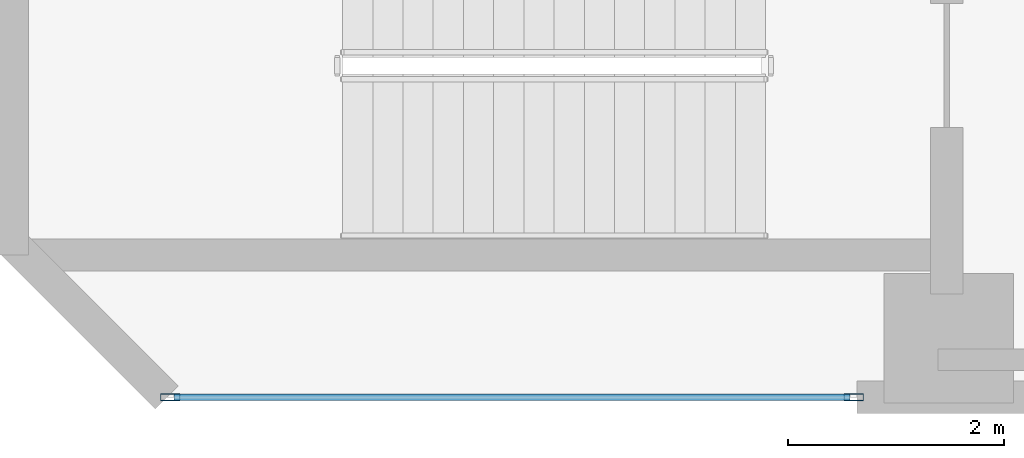
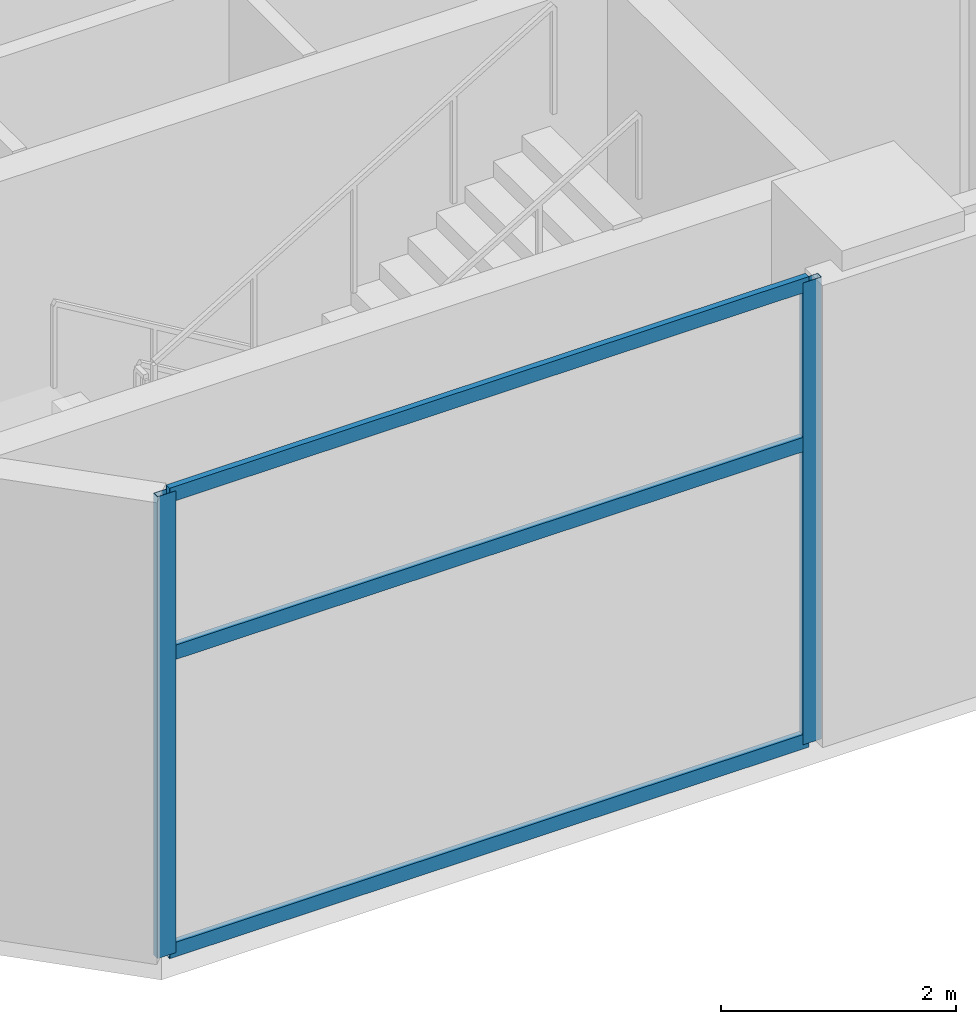
# One storey, part 2 of 23: 5 members, 1 element without a shape of its own.
"""IFC4 building model written with IfcOpenShell, lengths in metres."""

import ifcopenshell
import ifcopenshell.guid

model = None  # the IFC model being written
_history = None  # IfcOwnerHistory: only IFC2X3 demands one
_inside = {}  # id of a spatial element -> (the spatial element, [elements in it])
_under = {}  # id of a project, library or spatial element -> (it, [spatial elements below it])
_declared = {}  # id of a project -> (the project, [libraries it declares])
_typed = {}  # id of a type object -> (the type object, [elements of that type])
_made_of = {}  # id of a material, layer set ... -> (it, [elements and type objects made of it])


def new_model(schema):
    """Start an empty IFC model of exactly this schema.

    Asked for "IFC4X3", IfcOpenShell would pick the latest addendum, in which some entities
    have other attributes; the version numbers below select the first issue.
    IFC2X3 requires an IfcOwnerHistory on every rooted entity: one is made here for all.
    """
    global model, _history
    if schema == "IFC4X3":
        model = ifcopenshell.file(schema_version=(4, 3, 0, 0))
    else:
        model = ifcopenshell.file(schema=schema)
    _inside.clear()
    _under.clear()
    _declared.clear()
    _typed.clear()
    _made_of.clear()
    _history = None
    if model.schema == "IFC2X3":
        org = make("IfcOrganization", Name="unknown")
        user = make(
            "IfcPersonAndOrganization",
            ThePerson=make("IfcPerson", FamilyName="unknown"),
            TheOrganization=org,
        )
        app = make(
            "IfcApplication",
            ApplicationDeveloper=org,
            Version="unknown",
            ApplicationFullName="unknown",
            ApplicationIdentifier="unknown",
        )
        _history = make(
            "IfcOwnerHistory",
            OwningUser=user,
            OwningApplication=app,
            ChangeAction="ADDED",
            CreationDate=0,
        )
    return model


def make(cls, **values):
    """One entity of the class cls with the attributes given. An attribute that is None is left unset."""
    return model.create_entity(
        cls, **{name: value for name, value in values.items() if value is not None}
    )


def rooted(cls, **values):
    """An entity with a GlobalId (a new one), such as an element, a storey or a relation."""
    return make(cls, GlobalId=ifcopenshell.guid.new(), OwnerHistory=_history, **values)


def si_unit(unit_type, name, prefix=None):
    """IfcSIUnit, for example si_unit("LENGTHUNIT", "METRE", prefix="MILLI")."""
    return make("IfcSIUnit", UnitType=unit_type, Prefix=prefix, Name=name)


def assignment(units):
    """IfcUnitAssignment: the units of a project."""
    return None if units is None else make("IfcUnitAssignment", Units=units)


def point(xyz):
    """IfcCartesianPoint."""
    return None if xyz is None else make("IfcCartesianPoint", Coordinates=xyz)


def direction(xyz):
    """IfcDirection."""
    return None if xyz is None else make("IfcDirection", DirectionRatios=xyz)


def frame(location, z_axis=None, x_axis=None):
    """IfcAxis2Placement3D, a coordinate frame: its origin and axes. An axis left out is left unset."""
    return make(
        "IfcAxis2Placement3D",
        Location=point(location),
        Axis=direction(z_axis),
        RefDirection=direction(x_axis),
    )


def frame_2d(location, x_axis=None):
    """IfcAxis2Placement2D, a coordinate frame in the plane: its origin and x axis."""
    return make(
        "IfcAxis2Placement2D", Location=point(location), RefDirection=direction(x_axis)
    )


def origin():
    """The frame at (0, 0, 0) with its axes left unset."""
    return frame((0.0, 0.0, 0.0))


def origin_2d():
    """The frame at (0, 0) in the plane with its x axis left unset."""
    return frame_2d((0.0, 0.0))


def place(relative_to, where):
    """IfcLocalPlacement: puts the frame where relative to a parent placement (None: the world)."""
    return make(
        "IfcLocalPlacement", PlacementRelTo=relative_to, RelativePlacement=where
    )


def context(
    kind, dimensions, precision=None, world=None, true_north=None, identifier=None
):
    """IfcGeometricRepresentationContext, for example the 3D "Model" context."""
    return make(
        "IfcGeometricRepresentationContext",
        ContextIdentifier=identifier,
        ContextType=kind,
        CoordinateSpaceDimension=dimensions,
        Precision=precision,
        WorldCoordinateSystem=world,
        TrueNorth=true_north,
    )


def subcontext(parent, identifier, kind, view, scale=None):
    """IfcGeometricRepresentationSubContext, for example "Body" below "Model"."""
    return make(
        "IfcGeometricRepresentationSubContext",
        ContextIdentifier=identifier,
        ContextType=kind,
        ParentContext=parent,
        TargetScale=scale,
        TargetView=view,
    )


def project(units=None, contexts=None):
    """IfcProject with its units and contexts."""
    return rooted(
        "IfcProject",
        Name="project",
        RepresentationContexts=contexts,
        UnitsInContext=assignment(units),
    )


def spatial(cls, under=None, at=None, **own):
    """A site, building, storey or space (cls), placed at a placement, below another one or the project."""
    s = rooted(cls, ObjectPlacement=at, **own)
    if under is not None:
        _under.setdefault(under.id(), (under, []))[1].append(s)
    return s


def profile(cls, at=None, kind="AREA", **sizes):
    """A parametric profile (cls). Its sizes go by their IFC names, for example OverallWidth=200.0."""
    return make(cls, ProfileType=kind, Position=at, **sizes)


def hollow_rectangle(**sizes):
    """IfcRectangleHollowProfileDef."""
    return profile("IfcRectangleHollowProfileDef", **sizes)


def extrude(swept, where, along, depth):
    """IfcExtrudedAreaSolid: the profile swept, set in the frame where, extruded along a direction by depth."""
    return make(
        "IfcExtrudedAreaSolid",
        SweptArea=swept,
        Position=where,
        ExtrudedDirection=direction(along),
        Depth=depth,
    )


def shape(context_of_items, identifier, shape_type, items):
    """IfcShapeRepresentation: the items that make up one representation, for example the "Body"."""
    return make(
        "IfcShapeRepresentation",
        ContextOfItems=context_of_items,
        RepresentationIdentifier=identifier,
        RepresentationType=shape_type,
        Items=items,
    )


def material(Name=None, Category=None):
    """IfcMaterial."""
    return make("IfcMaterial", Name=Name, Category=Category)


def layer(
    of_material, thickness, ventilated=None, Name=None, Category=None, Priority=None
):
    """IfcMaterialLayer: one layer of a wall or slab, of a material (None: an air gap)."""
    return make(
        "IfcMaterialLayer",
        Material=of_material,
        LayerThickness=thickness,
        IsVentilated=ventilated,
        Name=Name,
        Category=Category,
        Priority=Priority,
    )


def layer_set(layers, Name=None):
    """IfcMaterialLayerSet."""
    return make("IfcMaterialLayerSet", MaterialLayers=layers, LayerSetName=Name)


def material_profile(
    of_material, cross_section, Name=None, Category=None, Priority=None
):
    """IfcMaterialProfile: a cross section and its material."""
    return make(
        "IfcMaterialProfile",
        Name=Name,
        Material=of_material,
        Profile=cross_section,
        Priority=Priority,
        Category=Category,
    )


def profile_set(profiles, Name=None, composite=None):
    """IfcMaterialProfileSet."""
    return make(
        "IfcMaterialProfileSet",
        Name=Name,
        MaterialProfiles=profiles,
        CompositeProfile=composite,
    )


def made_of(thing, what):
    """Note that an element or type object is made of a material, layer set ...; save() writes the relation."""
    if what is not None:
        _made_of.setdefault(what.id(), (what, []))[1].append(thing)
    return thing


def type_object(cls, material=None, **own):
    """A type object (cls), such as IfcWallType, which elements share."""
    return made_of(rooted(cls, **own), material)


def element(
    cls,
    number,
    at=None,
    inside=None,
    cuts=None,
    type_object=None,
    material=None,
    context=None,
    identifier="Body",
    shape_type=None,
    held_by="IfcProductDefinitionShape",
    body=None,
    shapes=None,
    **own,
):
    """One element of the class cls, such as IfcWall. Its Tag is "e" and its number.

    at: its placement. inside: the storey or other place that contains it. cuts: it is an
    opening in that element (IfcRelVoidsElement). A single representation is given by context,
    identifier, shape_type and body (its items); several are given by shapes. held_by: the class
    of the entity that holds the representations. save() writes the other relations.
    """
    e = rooted(cls, Tag="e%d" % number, ObjectPlacement=at, **own)
    if body is not None:
        shapes = [shape(context, identifier, shape_type, body)]
    if shapes is not None:
        e.Representation = make(held_by, Representations=shapes)
    if inside is not None:
        _inside.setdefault(inside.id(), (inside, []))[1].append(e)
    if cuts is not None:
        rooted(
            "IfcRelVoidsElement", RelatingBuildingElement=cuts, RelatedOpeningElement=e
        )
    if type_object is not None:
        _typed.setdefault(type_object.id(), (type_object, []))[1].append(e)
    return made_of(e, material)


def aggregate(whole, parts):
    """IfcRelAggregates: a whole, such as a stair, and the parts it consists of."""
    return rooted("IfcRelAggregates", RelatingObject=whole, RelatedObjects=parts)


def save(model, path):
    """Write the relations noted so far, then the file.

    IfcRelAggregates (storeys below a building ...), IfcRelContainedInSpatialStructure (elements
    in a storey), IfcRelDefinesByType, IfcRelAssociatesMaterial and IfcRelDeclares: one each for
    every whole, place, type object, material and project.
    """
    for whole, parts in _under.values():
        aggregate(whole, parts)
    for where, things in _inside.values():
        rooted(
            "IfcRelContainedInSpatialStructure",
            RelatedElements=things,
            RelatingStructure=where,
        )
    for kind, things in _typed.values():
        rooted("IfcRelDefinesByType", RelatedObjects=things, RelatingType=kind)
    for what, things in _made_of.values():
        rooted("IfcRelAssociatesMaterial", RelatedObjects=things, RelatingMaterial=what)
    for by, libraries in _declared.values():
        rooted("IfcRelDeclares", RelatingContext=by, RelatedDefinitions=libraries)
    model.write(path)


model = new_model("IFC4")

# Units and contexts
model_context = context("Model", 3, precision=1e-05, world=origin(), true_north=direction((0.0, 1.0)))
body_context = subcontext(model_context, "Body", "Model", "MODEL_VIEW")
ifc_project = project(units=[si_unit("LENGTHUNIT", "METRE"), si_unit("AREAUNIT", "SQUARE_METRE"), si_unit("VOLUMEUNIT", "CUBIC_METRE"), si_unit("PLANEANGLEUNIT", "RADIAN"), si_unit("MASSUNIT", "GRAM", prefix="KILO")], contexts=[model_context])

# Site, building, storey
site_placement = place(None, origin())
site = spatial("IfcSite", under=ifc_project, at=site_placement, CompositionType="ELEMENT")
building_placement = place(site_placement, origin())
building = spatial("IfcBuilding", under=site, at=building_placement, Name="Mawjaban Terraces University", CompositionType="ELEMENT")
storey_placement = place(building_placement, frame((0.0, 0.0, 98.39990234375)))
storey = spatial("IfcBuildingStorey", under=building, at=storey_placement, Name="L23", CompositionType="ELEMENT", Elevation=98.39990234375)

# Curtain wall, members
ifc_material_1 = material(Name="Anodised aluminium 6063-T6 and solar-control low-E glass", Category="aluminium")
ifc_layer = layer(ifc_material_1, 0.18994140625)
ifc_layer_set = layer_set([ifc_layer], Name="Anodised aluminium 6063-T6 and solar-control low-E glass")
curtain_wall_type = type_object("IfcCurtainWallType", Name="CWSystem_05_SkyLobby", PredefinedType="NOTDEFINED", material=ifc_layer_set)
curtain_wall_placement = place(storey_placement, origin())
curtain_wall = element("IfcCurtainWall", 1, at=curtain_wall_placement, inside=storey, type_object=curtain_wall_type, Name="L23 Curtain Wall CW-05 Run 1.1", PredefinedType="NOTDEFINED")
ifc_material_2 = material(Name="Anodised aluminium 6063-T6", Category="aluminium")
ifc_material_profile_1 = material_profile(ifc_material_2, hollow_rectangle(XDim=0.06494140625, YDim=0.179931640625, WallThickness=0.00390625, at=origin_2d()), Name="ALU180X65X4")
ifc_profile_set_1 = profile_set([ifc_material_profile_1], Name="Anodised aluminium 6063-T6")
member_type_1 = type_object("IfcMemberType", Name="Mullion_CW-05", PredefinedType="MULLION", material=ifc_profile_set_1)
member_1_placement = place(storey_placement, frame((24.532470703125, 0.0, 0.0), z_axis=(0.0, 0.0, 1.0), x_axis=(0.0, 1.0, 0.0)))
member_1 = element("IfcMember", 2, at=member_1_placement, type_object=member_type_1, Name="CW-05 mullion 1", PredefinedType="MULLION", context=body_context, shape_type="SweptSolid", body=[
    extrude(hollow_rectangle(XDim=0.06494140625, YDim=0.179931640625, WallThickness=0.00390625, at=origin_2d()), origin(), (0.0, 0.0, 1.0), 4.7900390625),
])
member_2_placement = place(storey_placement, frame((30.867431640625, 0.0, 0.0), z_axis=(0.0, 0.0, 1.0), x_axis=(0.0, 1.0, 0.0)))
member_2 = element("IfcMember", 3, at=member_2_placement, type_object=member_type_1, Name="CW-05 mullion 2", PredefinedType="MULLION", context=body_context, shape_type="SweptSolid", body=[
    extrude(hollow_rectangle(XDim=0.06494140625, YDim=0.179931640625, WallThickness=0.00390625, at=origin_2d()), origin(), (0.0, 0.0, 1.0), 4.7900390625),
])
ifc_material_profile_2 = material_profile(ifc_material_2, hollow_rectangle(XDim=0.06005859375, YDim=0.14990234375, WallThickness=0.00390625, at=origin_2d()), Name="ALU150X60X4")
ifc_profile_set_2 = profile_set([ifc_material_profile_2], Name="Anodised aluminium 6063-T6")
member_type_2 = type_object("IfcMemberType", Name="Transom_CW-05", PredefinedType="NOTDEFINED", material=ifc_profile_set_2)
member_3_placement = place(storey_placement, frame((24.56494140625, 0.0, 0.030029296875), z_axis=(1.0, 0.0, 0.0), x_axis=(0.0, 1.0, 0.0)))
member_3 = element("IfcMember", 4, at=member_3_placement, type_object=member_type_2, Name="CW-05 transom 1.1", ObjectType="TRANSOM", PredefinedType="USERDEFINED", context=body_context, shape_type="SweptSolid", body=[
    extrude(hollow_rectangle(XDim=0.06005859375, YDim=0.14990234375, WallThickness=0.00390625, at=origin_2d()), origin(), (0.0, 0.0, 1.0), 6.27001953125),
])
member_4_placement = place(storey_placement, frame((24.56494140625, 0.0, 3.113037109375), z_axis=(1.0, 0.0, 0.0), x_axis=(0.0, 1.0, 0.0)))
member_4 = element("IfcMember", 5, at=member_4_placement, type_object=member_type_2, Name="CW-05 transom 1.2", ObjectType="TRANSOM", PredefinedType="USERDEFINED", context=body_context, shape_type="SweptSolid", body=[
    extrude(hollow_rectangle(XDim=0.06005859375, YDim=0.14990234375, WallThickness=0.00390625, at=origin_2d()), origin(), (0.0, 0.0, 1.0), 6.27001953125),
])
member_5_placement = place(storey_placement, frame((24.56494140625, 0.0, 4.760009765625), z_axis=(1.0, 0.0, 0.0), x_axis=(0.0, 1.0, 0.0)))
member_5 = element("IfcMember", 6, at=member_5_placement, type_object=member_type_2, Name="CW-05 transom 1.3", ObjectType="TRANSOM", PredefinedType="USERDEFINED", context=body_context, shape_type="SweptSolid", body=[
    extrude(hollow_rectangle(XDim=0.06005859375, YDim=0.14990234375, WallThickness=0.00390625, at=origin_2d()), origin(), (0.0, 0.0, 1.0), 6.27001953125),
])
aggregate(curtain_wall, [member_1, member_2, member_3, member_4, member_5])

save(model, "model.ifc")
